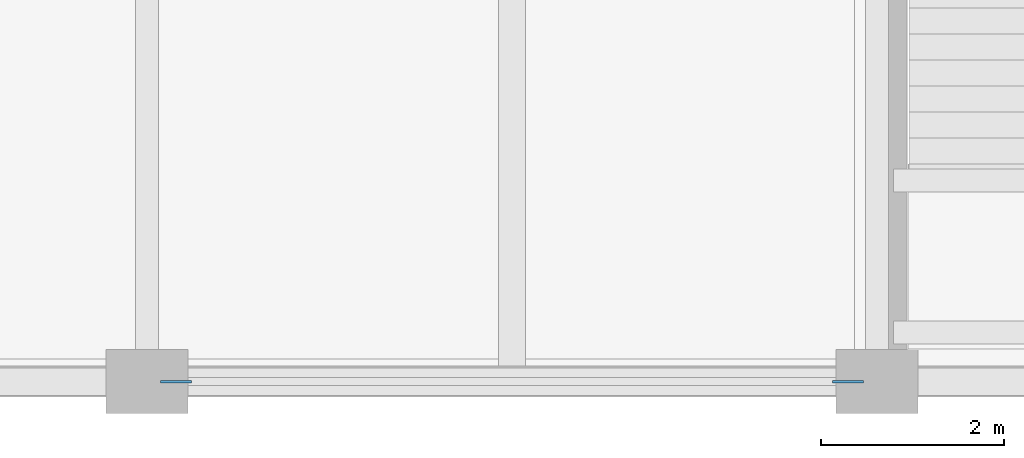
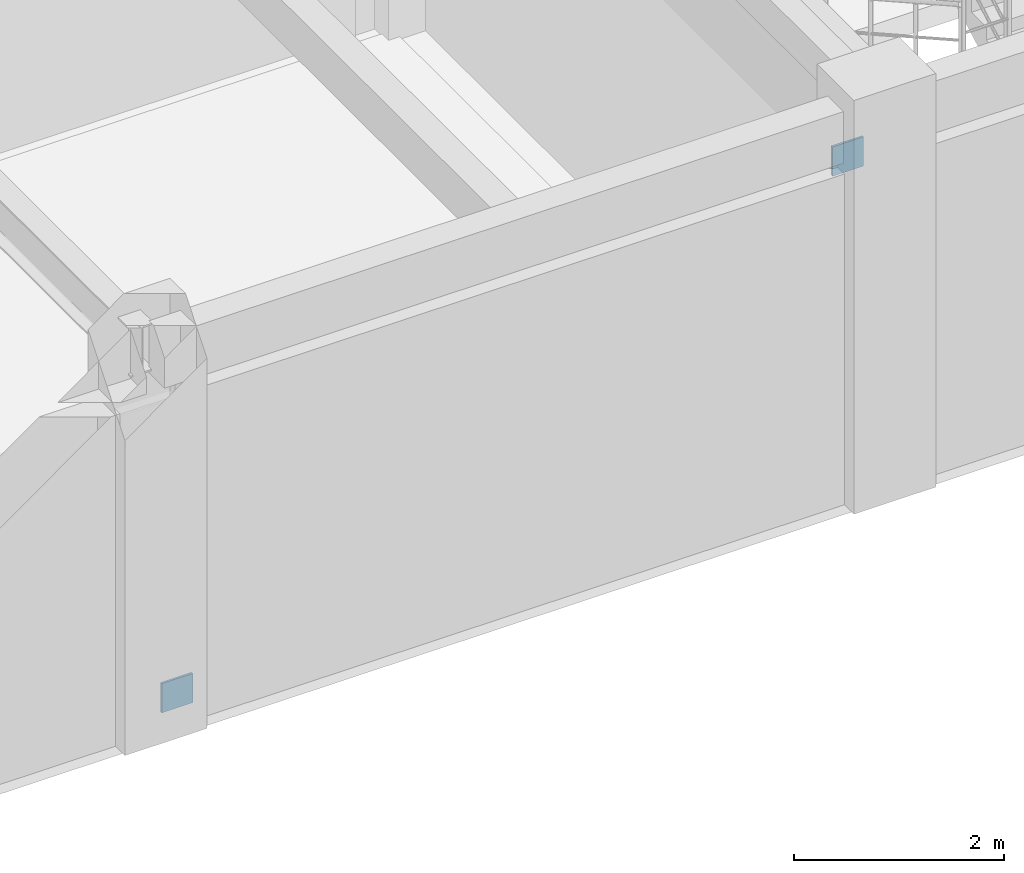
# One storey, part 103 of 144: 2 plates.
"""IFC4 building model written with IfcOpenShell, lengths in metres."""

from ifc_helpers import new_model, si_unit, direction, frame, origin, origin_2d, place, context, subcontext, project, spatial, rectangle, extrude, material, layer, layer_set, type_object, element, save


model = new_model("IFC4")

# Units and contexts
model_context = context("Model", 3, precision=1e-05, world=origin(), true_north=direction((0.0, 1.0)))
body_context = subcontext(model_context, "Body", "Model", "MODEL_VIEW")
ifc_project = project(units=[si_unit("LENGTHUNIT", "METRE"), si_unit("AREAUNIT", "SQUARE_METRE"), si_unit("VOLUMEUNIT", "CUBIC_METRE"), si_unit("PLANEANGLEUNIT", "RADIAN"), si_unit("MASSUNIT", "GRAM", prefix="KILO")], contexts=[model_context])

# Site, building, storey
site_placement = place(None, origin())
site = spatial("IfcSite", under=ifc_project, at=site_placement, CompositionType="ELEMENT")
building_placement = place(site_placement, origin())
building = spatial("IfcBuilding", under=site, at=building_placement, Name="Varnabhumi Central Station", CompositionType="ELEMENT")
storey_placement = place(building_placement, frame((0.0, 0.0, 4.800048828125)))
storey = spatial("IfcBuildingStorey", under=building, at=storey_placement, Name="L01", CompositionType="ELEMENT", Elevation=4.800048828125)

# Plates
ifc_material = material(Name="Structural steel E350", Category="steel")
ifc_layer = layer(ifc_material, 0.031982421875, Name="Structural steel E350", Category="steel")
ifc_layer_set = layer_set([ifc_layer], Name="Structural steel E350")
plate_type = type_object("IfcPlateType", Name="PLT-GUSSET-A", PredefinedType="USERDEFINED", material=ifc_layer_set)
for number, where, z_axis, x_axis, name in (
    (1, (136.320068359375, 0.0, 0.080078125), (0.0, 0.0, 1.0), (1.0, 0.0, 0.0), "Lateral Brace End Gusset WB-15-B"),
    (2, (143.679931640625, 0.0, 3.72998046875), (0.0, 0.0, 1.0), (1.0, 0.0, 0.0), "Lateral Brace End Gusset WB-15-T"),
):
    element("IfcPlate", number, at=place(storey_placement, frame(where, z_axis=z_axis, x_axis=x_axis)), inside=storey, type_object=plate_type, Name=name, ObjectType="GUSSET PLATE", PredefinedType="USERDEFINED", context=body_context, shape_type="SweptSolid", body=[
        extrude(rectangle(XDim=0.340087890625, YDim=0.02490234375, at=origin_2d()), origin(), (0.0, 0.0, 1.0), 0.340087890625),
    ])

save(model, "model.ifc")
